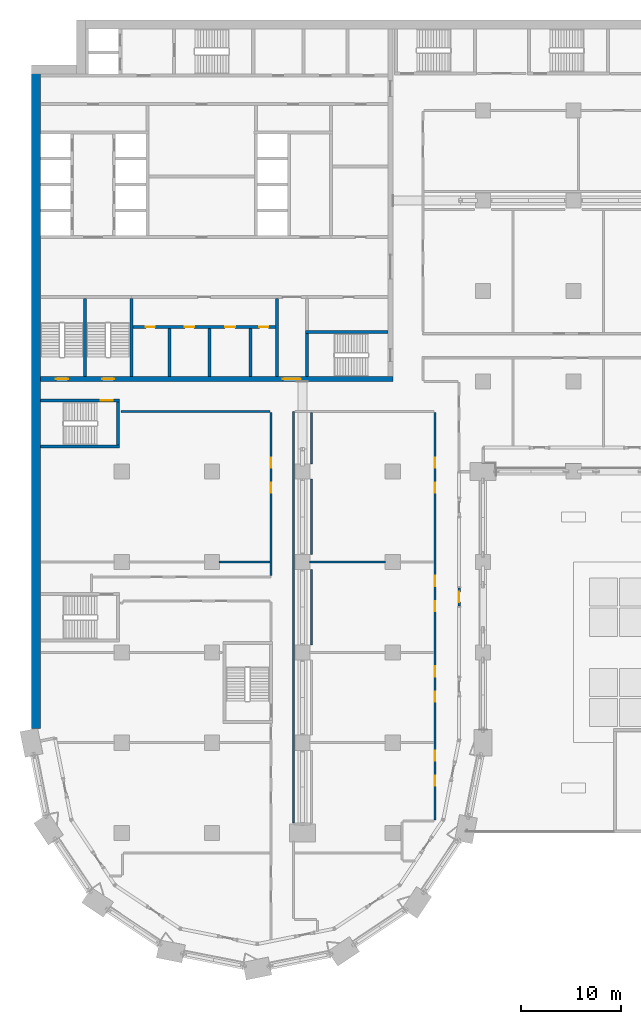
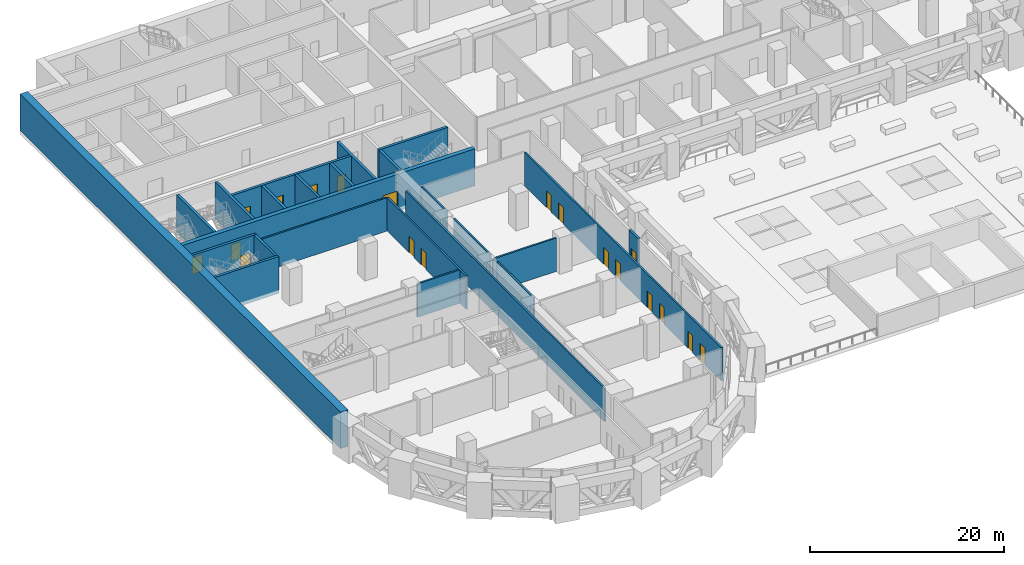
# One storey, part 12 of 31: 24 walls, 19 doors, 19 openings.
"""IFC4 building model written with IfcOpenShell, lengths in metres."""

from ifc_helpers import new_model, si_unit, direction, frame, frame_2d, origin, place, context, subcontext, project, spatial, rectangle, extrude, material, layer, layer_set, type_object, element, fill, save


model = new_model("IFC4")

# Units and contexts
model_context = context("Model", 3, precision=1e-05, world=origin(), true_north=direction((0.0, 1.0)))
body_context = subcontext(model_context, "Body", "Model", "MODEL_VIEW")
ifc_project = project(units=[si_unit("LENGTHUNIT", "METRE"), si_unit("AREAUNIT", "SQUARE_METRE"), si_unit("VOLUMEUNIT", "CUBIC_METRE"), si_unit("PLANEANGLEUNIT", "RADIAN"), si_unit("MASSUNIT", "GRAM", prefix="KILO")], contexts=[model_context])

# Site, building, storey
site_placement = place(None, origin())
site = spatial("IfcSite", under=ifc_project, at=site_placement, CompositionType="ELEMENT")
building_placement = place(site_placement, origin())
building = spatial("IfcBuilding", under=site, at=building_placement, Name="Hunhe Ridgeline Campus", CompositionType="ELEMENT")
storey_placement = place(building_placement, frame((0.0, 0.0, 31.199951171875)))
storey = spatial("IfcBuildingStorey", under=building, at=storey_placement, Name="L06", CompositionType="ELEMENT", Elevation=31.199951171875)

# Wall, openings, doors
ifc_material_1 = material(Name="Masonry concrete blockwork", Category="masonry")
ifc_layer_1 = layer(ifc_material_1, 0.300048828125)
ifc_layer_set_1 = layer_set([ifc_layer_1], Name="Core room partition 300 concrete block")
wall_type_1 = type_object("IfcWallType", Name="Core room partition 300 concrete block", PredefinedType="PARTITIONING", material=ifc_layer_set_1)
wall_1_placement = place(storey_placement, frame((10.10009765625, 68.39990234375, 0.0), z_axis=(0.0, 0.0, 1.0), x_axis=(1.0, 0.0, 0.0)))
wall_1 = element("IfcWall", 1, at=wall_1_placement, inside=storey, type_object=wall_type_1, Name="L06 core partition 10", PredefinedType="PARTITIONING", context=body_context, shape_type="SweptSolid", body=[
    extrude(rectangle(XDim=14.199951171875, YDim=0.300048828125, at=frame_2d((7.10009765625, 0.0))), origin(), (0.0, 0.0, 1.0), 4.199951171875),
])
opening_1_placement = place(wall_1_placement, frame((1.300048828125, 0.0, 0.0)))
opening_1 = element("IfcOpeningElement", 2, at=opening_1_placement, cuts=wall_1, Name="Opening CD8", PredefinedType="OPENING", context=body_context, shape_type="SweptSolid", body=[
    extrude(rectangle(XDim=0.89990234375, YDim=2.10009765625, at=frame_2d((0.449951171875, 1.050048828125))), frame((0.0, 0.14990234375, 0.0), z_axis=(0.0, -1.0, 0.0), x_axis=(1.0, 0.0, 0.0)), (0.0, 0.0, 1.0), 0.300048828125),
])
opening_2_placement = place(wall_1_placement, frame((5.199951171875, 0.0, 0.0)))
opening_2 = element("IfcOpeningElement", 3, at=opening_2_placement, cuts=wall_1, Name="Opening CD9", PredefinedType="OPENING", context=body_context, shape_type="SweptSolid", body=[
    extrude(rectangle(XDim=0.89990234375, YDim=2.10009765625, at=frame_2d((0.449951171875, 1.050048828125))), frame((0.0, 0.14990234375, 0.0), z_axis=(0.0, -1.0, 0.0), x_axis=(1.0, 0.0, 0.0)), (0.0, 0.0, 1.0), 0.300048828125),
])
opening_3_placement = place(wall_1_placement, frame((9.199951171875, 0.0, 0.0)))
opening_3 = element("IfcOpeningElement", 4, at=opening_3_placement, cuts=wall_1, Name="Opening CD10", PredefinedType="OPENING", context=body_context, shape_type="SweptSolid", body=[
    extrude(rectangle(XDim=1.0, YDim=2.10009765625, at=frame_2d((0.5, 1.050048828125))), frame((0.0, 0.14990234375, 0.0), z_axis=(0.0, -1.0, 0.0), x_axis=(1.0, 0.0, 0.0)), (0.0, 0.0, 1.0), 0.300048828125),
])
opening_4_placement = place(wall_1_placement, frame((12.60009765625, 0.0, 0.0)))
opening_4 = element("IfcOpeningElement", 5, at=opening_4_placement, cuts=wall_1, Name="Opening CD11", PredefinedType="OPENING", context=body_context, shape_type="SweptSolid", body=[
    extrude(rectangle(XDim=0.89990234375, YDim=2.10009765625, at=frame_2d((0.449951171875, 1.050048828125))), frame((0.0, 0.14990234375, 0.0), z_axis=(0.0, -1.0, 0.0), x_axis=(1.0, 0.0, 0.0)), (0.0, 0.0, 1.0), 0.300048828125),
])
ifc_material_2 = material(Name="Solid core timber door leaf", Category="wood")
door_type_1 = type_object("IfcDoorType", Name="Timber door 1000x2100", OperationType="SINGLE_SWING_LEFT", PredefinedType="DOOR", material=ifc_material_2)
door_1_placement = place(opening_3_placement, frame((1.0, 0.0, 0.0), z_axis=(0.0, 0.0, 1.0), x_axis=(-1.0, 0.0, 0.0)))
door_1 = element("IfcDoor", 6, at=door_1_placement, inside=storey, type_object=door_type_1, Name="L06 door WC3", OperationType="SINGLE_SWING_RIGHT", OverallHeight=2.10009765625, OverallWidth=1.0, PredefinedType="DOOR", context=body_context, shape_type="SweptSolid", body=[
    extrude(rectangle(XDim=1.0, YDim=2.10009765625, at=frame_2d((0.5, 1.050048828125))), frame((0.0, 0.02490234375, 0.0), z_axis=(0.0, -1.0, 0.0), x_axis=(1.0, 0.0, 0.0)), (0.0, 0.0, 1.0), 0.050048828125),
])
fill(opening_3, door_1)
door_type_2 = type_object("IfcDoorType", Name="Timber door 900x2100", OperationType="SINGLE_SWING_LEFT", PredefinedType="DOOR", material=ifc_material_2)
door_2_placement = place(opening_1_placement, frame((0.89990234375, 0.0, 0.0), z_axis=(0.0, 0.0, 1.0), x_axis=(-1.0, 0.0, 0.0)))
door_2 = element("IfcDoor", 7, at=door_2_placement, inside=storey, type_object=door_type_2, Name="L06 door WC1", OperationType="SINGLE_SWING_RIGHT", OverallHeight=2.10009765625, OverallWidth=0.89990234375, PredefinedType="DOOR", context=body_context, shape_type="SweptSolid", body=[
    extrude(rectangle(XDim=0.89990234375, YDim=2.10009765625, at=frame_2d((0.449951171875, 1.050048828125))), frame((0.0, 0.02490234375, 0.0), z_axis=(0.0, -1.0, 0.0), x_axis=(1.0, 0.0, 0.0)), (0.0, 0.0, 1.0), 0.050048828125),
])
fill(opening_1, door_2)
door_3_placement = place(opening_2_placement, frame((0.89990234375, 0.0, 0.0), z_axis=(0.0, 0.0, 1.0), x_axis=(-1.0, 0.0, 0.0)))
door_3 = element("IfcDoor", 8, at=door_3_placement, inside=storey, type_object=door_type_2, Name="L06 door WC2", OperationType="SINGLE_SWING_LEFT", OverallHeight=2.10009765625, OverallWidth=0.89990234375, PredefinedType="DOOR", context=body_context, shape_type="SweptSolid", body=[
    extrude(rectangle(XDim=0.89990234375, YDim=2.10009765625, at=frame_2d((0.449951171875, 1.050048828125))), frame((0.0, 0.02490234375, 0.0), z_axis=(0.0, -1.0, 0.0), x_axis=(1.0, 0.0, 0.0)), (0.0, 0.0, 1.0), 0.050048828125),
])
fill(opening_2, door_3)
door_4_placement = place(opening_4_placement, frame((0.89990234375, 0.0, 0.0), z_axis=(0.0, 0.0, 1.0), x_axis=(-1.0, 0.0, 0.0)))
door_4 = element("IfcDoor", 9, at=door_4_placement, inside=storey, type_object=door_type_2, Name="L06 door WC4", OperationType="SINGLE_SWING_LEFT", OverallHeight=2.10009765625, OverallWidth=0.89990234375, PredefinedType="DOOR", context=body_context, shape_type="SweptSolid", body=[
    extrude(rectangle(XDim=0.89990234375, YDim=2.10009765625, at=frame_2d((0.449951171875, 1.050048828125))), frame((0.0, 0.02490234375, 0.0), z_axis=(0.0, -1.0, 0.0), x_axis=(1.0, 0.0, 0.0)), (0.0, 0.0, 1.0), 0.050048828125),
])
fill(opening_4, door_4)

# Walls
for number, where, z_axis, x_axis, name in (
    (10, (13.75, 63.5, 0.0), (0.0, 0.0, 1.0), (0.0, 1.0, 0.0), "L06 core partition 47"),
    (11, (17.75, 63.5, 0.0), (0.0, 0.0, 1.0), (0.0, 1.0, 0.0), "L06 core partition 49"),
    (12, (21.85009765625, 63.5, 0.0), (0.0, 0.0, 1.0), (0.0, 1.0, 0.0), "L06 core partition 51"),
):
    element("IfcWall", number, at=place(storey_placement, frame(where, z_axis=z_axis, x_axis=x_axis)), inside=storey, type_object=wall_type_1, Name=name, PredefinedType="PARTITIONING", context=body_context, shape_type="SweptSolid", body=[
        extrude(rectangle(XDim=4.75, YDim=0.300048828125, at=frame_2d((2.375, 0.0))), origin(), (0.0, 0.0, 1.0), 4.199951171875),
    ])
wall_2_placement = place(storey_placement, frame((24.449951171875, 63.5, 0.0), z_axis=(0.0, 0.0, 1.0), x_axis=(0.0, 1.0, 0.0)))
element("IfcWall", 13, at=wall_2_placement, inside=storey, type_object=wall_type_1, Name="L06 core partition 56", PredefinedType="PARTITIONING", context=body_context, shape_type="SweptSolid", body=[
    extrude(rectangle(XDim=7.75, YDim=0.300048828125, at=frame_2d((3.875, 0.0))), origin(), (0.0, 0.0, 1.0), 4.199951171875),
])

# Wall, openings, doors
ifc_material_3 = material(Name="Concrete C80", Category="concrete")
ifc_layer_2 = layer(ifc_material_3, 0.5)
ifc_layer_set_2 = layer_set([ifc_layer_2], Name="Core wall 500 reinforced concrete C80")
wall_type_2 = type_object("IfcWallType", Name="Core wall 500 reinforced concrete C80", PredefinedType="SOLIDWALL", material=ifc_layer_set_2)
wall_3_placement = place(storey_placement, frame((0.89990234375, 63.25, -0.449951171875), z_axis=(0.0, 0.0, 1.0), x_axis=(1.0, 0.0, 0.0)))
wall_3 = element("IfcWall", 14, at=wall_3_placement, inside=storey, type_object=wall_type_2, Name="L06 core wall 7", PredefinedType="SOLIDWALL", context=body_context, shape_type="SweptSolid", body=[
    extrude(rectangle(XDim=35.10009765625, YDim=0.5, at=frame_2d((17.550048828125, 0.0))), origin(), (0.0, 0.0, 1.0), 4.64990234375),
])
opening_5_placement = place(wall_3_placement, frame((24.14990234375, 0.0, 0.449951171875)))
opening_5 = element("IfcOpeningElement", 15, at=opening_5_placement, cuts=wall_3, Name="Opening CD6", PredefinedType="OPENING", context=body_context, shape_type="SweptSolid", body=[
    extrude(rectangle(XDim=1.800048828125, YDim=2.10009765625, at=frame_2d((0.89990234375, 1.050048828125))), frame((0.0, 0.25, 0.0), z_axis=(0.0, -1.0, 0.0), x_axis=(1.0, 0.0, 0.0)), (0.0, 0.0, 1.0), 0.5),
])
opening_6_placement = place(wall_3_placement, frame((1.550048828125, 0.0, 0.449951171875)))
opening_6 = element("IfcOpeningElement", 16, at=opening_6_placement, cuts=wall_3, Name="Opening CD13", PredefinedType="OPENING", context=body_context, shape_type="SweptSolid", body=[
    extrude(rectangle(XDim=1.199951171875, YDim=2.10009765625, at=frame_2d((0.60009765625, 1.050048828125))), frame((0.0, 0.25, 0.0), z_axis=(0.0, -1.0, 0.0), x_axis=(1.0, 0.0, 0.0)), (0.0, 0.0, 1.0), 0.5),
])
opening_7_placement = place(wall_3_placement, frame((6.14990234375, 0.0, 0.449951171875)))
opening_7 = element("IfcOpeningElement", 17, at=opening_7_placement, cuts=wall_3, Name="Opening CD14", PredefinedType="OPENING", context=body_context, shape_type="SweptSolid", body=[
    extrude(rectangle(XDim=1.199951171875, YDim=2.10009765625, at=frame_2d((0.60009765625, 1.050048828125))), frame((0.0, 0.25, 0.0), z_axis=(0.0, -1.0, 0.0), x_axis=(1.0, 0.0, 0.0)), (0.0, 0.0, 1.0), 0.5),
])
ifc_material_4 = material(Name="Anodised aluminium and glass", Category="aluminium")
door_type_3 = type_object("IfcDoorType", Name="Glazed double door 1800x2100", OperationType="DOUBLE_DOOR_SINGLE_SWING", PredefinedType="DOOR", material=ifc_material_4)
door_5_placement = place(opening_5_placement, frame((1.800048828125, 0.0, 0.0), z_axis=(0.0, 0.0, 1.0), x_axis=(-1.0, 0.0, 0.0)))
door_5 = element("IfcDoor", 18, at=door_5_placement, inside=storey, type_object=door_type_3, Name="L06 door VEST-FLOOR", OperationType="DOUBLE_DOOR_SINGLE_SWING", OverallHeight=2.10009765625, OverallWidth=1.800048828125, PredefinedType="DOOR", context=body_context, shape_type="SweptSolid", body=[
    extrude(rectangle(XDim=1.800048828125, YDim=2.10009765625, at=frame_2d((0.89990234375, 1.050048828125))), frame((0.0, 0.02490234375, 0.0), z_axis=(0.0, -1.0, 0.0), x_axis=(1.0, 0.0, 0.0)), (0.0, 0.0, 1.0), 0.050048828125),
])
fill(opening_5, door_5)
ifc_material_5 = material(Name="Hollow metal fire door leaf")
door_type_4 = type_object("IfcDoorType", Name="Stair door 1200x2100 FD60", OperationType="SINGLE_SWING_LEFT", PredefinedType="DOOR", material=ifc_material_5)
door_6_placement = place(opening_6_placement, frame((1.199951171875, 0.0, 0.0), z_axis=(0.0, 0.0, 1.0), x_axis=(-1.0, 0.0, 0.0)))
door_6 = element("IfcDoor", 19, at=door_6_placement, inside=storey, type_object=door_type_4, Name="L06 door S3", OperationType="SINGLE_SWING_RIGHT", OverallHeight=2.10009765625, OverallWidth=1.199951171875, PredefinedType="DOOR", context=body_context, shape_type="SweptSolid", body=[
    extrude(rectangle(XDim=1.199951171875, YDim=2.10009765625, at=frame_2d((0.60009765625, 1.050048828125))), frame((0.0, 0.02490234375, 0.0), z_axis=(0.0, -1.0, 0.0), x_axis=(1.0, 0.0, 0.0)), (0.0, 0.0, 1.0), 0.050048828125),
])
fill(opening_6, door_6)
door_7_placement = place(opening_7_placement, frame((1.199951171875, 0.0, 0.0), z_axis=(0.0, 0.0, 1.0), x_axis=(-1.0, 0.0, 0.0)))
door_7 = element("IfcDoor", 20, at=door_7_placement, inside=storey, type_object=door_type_4, Name="L06 door S4", OperationType="SINGLE_SWING_LEFT", OverallHeight=2.10009765625, OverallWidth=1.199951171875, PredefinedType="DOOR", context=body_context, shape_type="SweptSolid", body=[
    extrude(rectangle(XDim=1.199951171875, YDim=2.10009765625, at=frame_2d((0.60009765625, 1.050048828125))), frame((0.0, 0.02490234375, 0.0), z_axis=(0.0, -1.0, 0.0), x_axis=(1.0, 0.0, 0.0)), (0.0, 0.0, 1.0), 0.050048828125),
])
fill(opening_7, door_7)

# Walls
ifc_material_6 = material(Name="Gypsum board partition")
ifc_layer_3 = layer(ifc_material_6, 0.199951171875)
ifc_layer_set_3 = layer_set([ifc_layer_3], Name="Corridor partition 200 gypsum board on steel studs")
wall_type_3 = type_object("IfcWallType", Name="Corridor partition 200 gypsum board on steel studs", PredefinedType="PARTITIONING", material=ifc_layer_set_3)
wall_4_placement = place(storey_placement, frame((18.699951171875, 45.0, 0.0), z_axis=(0.0, 0.0, 1.0), x_axis=(1.0, 0.0, 0.0)))
element("IfcWall", 21, at=wall_4_placement, inside=storey, type_object=wall_type_3, Name="F-L06-wall-022", PredefinedType="PARTITIONING", context=body_context, shape_type="SweptSolid", body=[
    extrude(rectangle(XDim=5.050048828125, YDim=0.199951171875, at=frame_2d((2.52490234375, 0.0))), origin(), (0.0, 0.0, 1.0), 4.199951171875),
])
wall_5_placement = place(storey_placement, frame((27.699951171875, 45.0, 0.0), z_axis=(0.0, 0.0, 1.0), x_axis=(1.0, 0.0, 0.0)))
element("IfcWall", 22, at=wall_5_placement, inside=storey, type_object=wall_type_3, Name="F-L06-wall-023", PredefinedType="PARTITIONING", context=body_context, shape_type="SweptSolid", body=[
    extrude(rectangle(XDim=7.60009765625, YDim=0.199951171875, at=frame_2d((3.800048828125, 0.0))), origin(), (0.0, 0.0, 1.0), 4.199951171875),
])
wall_6_placement = place(storey_placement, frame((23.75, 60.0, 0.0), z_axis=(0.0, 0.0, 1.0), x_axis=(-1.0, 0.0, 0.0)))
element("IfcWall", 23, at=wall_6_placement, inside=storey, type_object=wall_type_3, Name="F-L06-wall-025", PredefinedType="PARTITIONING", context=body_context, shape_type="SweptSolid", body=[
    extrude(rectangle(XDim=14.845947265625, YDim=0.199951171875, at=frame_2d((7.4228515625, 0.0))), origin(), (0.0, 0.0, 1.0), 4.199951171875),
])

# Wall, openings, doors
wall_7_placement = place(storey_placement, frame((23.85009765625, 43.646240234375, 0.0), z_axis=(0.0, 0.0, 1.0), x_axis=(0.0, 1.0, 0.0)))
wall_7 = element("IfcWall", 24, at=wall_7_placement, inside=storey, type_object=wall_type_3, Name="F-L06-wall-059", PredefinedType="PARTITIONING", context=body_context, shape_type="SweptSolid", body=[
    extrude(rectangle(XDim=16.253662109375, YDim=0.199951171875, at=frame_2d((8.126953125, 0.0))), origin(), (0.0, 0.0, 1.0), 4.199951171875),
])
opening_8_placement = place(wall_7_placement, frame((8.251953125, 0.0, 0.0)))
opening_8 = element("IfcOpeningElement", 25, at=opening_8_placement, cuts=wall_7, Name="Opening RD1-016", PredefinedType="OPENING", context=body_context, shape_type="SweptSolid", body=[
    extrude(rectangle(XDim=1.0, YDim=2.10009765625, at=frame_2d((0.5, 1.050048828125))), frame((0.0, 0.10009765625, 0.0), z_axis=(0.0, -1.0, 0.0), x_axis=(1.0, 0.0, 0.0)), (0.0, 0.0, 1.0), 0.199951171875),
])
opening_9_placement = place(wall_7_placement, frame((10.751953125, 0.0, 0.0)))
opening_9 = element("IfcOpeningElement", 26, at=opening_9_placement, cuts=wall_7, Name="Opening RD1-018", PredefinedType="OPENING", context=body_context, shape_type="SweptSolid", body=[
    extrude(rectangle(XDim=1.0, YDim=2.10009765625, at=frame_2d((0.5, 1.050048828125))), frame((0.0, 0.10009765625, 0.0), z_axis=(0.0, -1.0, 0.0), x_axis=(1.0, 0.0, 0.0)), (0.0, 0.0, 1.0), 0.199951171875),
])
ifc_material_7 = material(Name="Timber door leaf", Category="wood")
door_type_5 = type_object("IfcDoorType", Name="Single fire door 1000x2100 timber FD60", OperationType="NOTDEFINED", PredefinedType="DOOR", material=ifc_material_7)
door_8_placement = place(opening_8_placement, frame((1.0, 0.0, 0.0), z_axis=(0.0, 0.0, 1.0), x_axis=(-1.0, 0.0, 0.0)))
door_8 = element("IfcDoor", 27, at=door_8_placement, inside=storey, type_object=door_type_5, Name="F-L06-door-016", OperationType="SINGLE_SWING_LEFT", OverallHeight=2.10009765625, OverallWidth=1.0, PredefinedType="DOOR", context=body_context, shape_type="SweptSolid", body=[
    extrude(rectangle(XDim=1.0, YDim=2.10009765625, at=frame_2d((0.5, 1.050048828125))), frame((0.0, 0.02490234375, 0.0), z_axis=(0.0, -1.0, 0.0), x_axis=(1.0, 0.0, 0.0)), (0.0, 0.0, 1.0), 0.050048828125),
])
fill(opening_8, door_8)
door_9_placement = place(opening_9_placement, frame((1.0, 0.0, 0.0), z_axis=(0.0, 0.0, 1.0), x_axis=(-1.0, 0.0, 0.0)))
door_9 = element("IfcDoor", 28, at=door_9_placement, inside=storey, type_object=door_type_5, Name="F-L06-door-018", OperationType="SINGLE_SWING_LEFT", OverallHeight=2.10009765625, OverallWidth=1.0, PredefinedType="DOOR", context=body_context, shape_type="SweptSolid", body=[
    extrude(rectangle(XDim=1.0, YDim=2.10009765625, at=frame_2d((0.5, 1.050048828125))), frame((0.0, 0.02490234375, 0.0), z_axis=(0.0, -1.0, 0.0), x_axis=(1.0, 0.0, 0.0)), (0.0, 0.0, 1.0), 0.050048828125),
])
fill(opening_9, door_9)

# Walls
wall_8_placement = place(storey_placement, frame((26.10009765625, 59.999755859375, 0.0), z_axis=(0.0, 0.0, 1.0), x_axis=(0.0, -1.0, 0.0)))
element("IfcWall", 29, at=wall_8_placement, inside=storey, type_object=wall_type_3, Name="F-L06-wall-061", PredefinedType="PARTITIONING", context=body_context, shape_type="SweptSolid", body=[
    extrude(rectangle(XDim=40.999755859375, YDim=0.199951171875, at=frame_2d((20.5, 0.0))), origin(), (0.0, 0.0, 1.0), 4.199951171875),
])
for number, where, z_axis, x_axis, name in (
    (30, (27.89990234375, 44.25, 0.0), (0.0, 0.0, 1.0), (0.0, -1.0, 0.0), "F-L06-wall-064"),
    (31, (27.89990234375, 53.25, 0.0), (0.0, 0.0, 1.0), (0.0, -1.0, 0.0), "F-L06-wall-065"),
):
    element("IfcWall", number, at=place(storey_placement, frame(where, z_axis=z_axis, x_axis=x_axis)), inside=storey, type_object=wall_type_3, Name=name, PredefinedType="PARTITIONING", context=body_context, shape_type="SweptSolid", body=[
        extrude(rectangle(XDim=7.5, YDim=0.199951171875, at=frame_2d((3.75, 0.0))), origin(), (0.0, 0.0, 1.0), 4.199951171875),
    ])
wall_9_placement = place(storey_placement, frame((27.89990234375, 59.89990234375, 0.0), z_axis=(0.0, 0.0, 1.0), x_axis=(0.0, -1.0, 0.0)))
element("IfcWall", 32, at=wall_9_placement, inside=storey, type_object=wall_type_3, Name="F-L06-wall-066", PredefinedType="PARTITIONING", context=body_context, shape_type="SweptSolid", body=[
    extrude(rectangle(XDim=5.14990234375, YDim=0.199951171875, at=frame_2d((2.574951171875, 0.0))), origin(), (0.0, 0.0, 1.0), 4.199951171875),
])

# Wall, openings, doors
wall_10_placement = place(storey_placement, frame((40.199951171875, 19.322021484375, 0.0), z_axis=(0.0, 0.0, 1.0), x_axis=(0.0, 1.0, 0.0)))
wall_10 = element("IfcWall", 33, at=wall_10_placement, inside=storey, type_object=wall_type_3, Name="F-L06-wall-071", PredefinedType="PARTITIONING", context=body_context, shape_type="SweptSolid", body=[
    extrude(rectangle(XDim=40.577880859375, YDim=0.199951171875, at=frame_2d((20.2890625, 0.0))), origin(), (0.0, 0.0, 1.0), 4.199951171875),
])
opening_10_placement = place(wall_10_placement, frame((3.382568359375, 0.0, 0.0)))
opening_10 = element("IfcOpeningElement", 34, at=opening_10_placement, cuts=wall_10, Name="Opening RD1-004", PredefinedType="OPENING", context=body_context, shape_type="SweptSolid", body=[
    extrude(rectangle(XDim=1.0, YDim=2.10009765625, at=frame_2d((0.5, 1.050048828125))), frame((0.0, 0.10009765625, 0.0), z_axis=(0.0, -1.0, 0.0), x_axis=(1.0, 0.0, 0.0)), (0.0, 0.0, 1.0), 0.199951171875),
])
opening_11_placement = place(wall_10_placement, frame((5.882568359375, 0.0, 0.0)))
opening_11 = element("IfcOpeningElement", 35, at=opening_11_placement, cuts=wall_10, Name="Opening RD1-006", PredefinedType="OPENING", context=body_context, shape_type="SweptSolid", body=[
    extrude(rectangle(XDim=1.0, YDim=2.10009765625, at=frame_2d((0.5, 1.050048828125))), frame((0.0, 0.10009765625, 0.0), z_axis=(0.0, -1.0, 0.0), x_axis=(1.0, 0.0, 0.0)), (0.0, 0.0, 1.0), 0.199951171875),
])
opening_12_placement = place(wall_10_placement, frame((11.773681640625, 0.0, 0.0)))
opening_12 = element("IfcOpeningElement", 36, at=opening_12_placement, cuts=wall_10, Name="Opening RD1-008", PredefinedType="OPENING", context=body_context, shape_type="SweptSolid", body=[
    extrude(rectangle(XDim=1.0, YDim=2.10009765625, at=frame_2d((0.5, 1.050048828125))), frame((0.0, 0.10009765625, 0.0), z_axis=(0.0, -1.0, 0.0), x_axis=(1.0, 0.0, 0.0)), (0.0, 0.0, 1.0), 0.199951171875),
])
opening_13_placement = place(wall_10_placement, frame((14.273681640625, 0.0, 0.0)))
opening_13 = element("IfcOpeningElement", 37, at=opening_13_placement, cuts=wall_10, Name="Opening RD1-009", PredefinedType="OPENING", context=body_context, shape_type="SweptSolid", body=[
    extrude(rectangle(XDim=1.0, YDim=2.10009765625, at=frame_2d((0.5, 1.050048828125))), frame((0.0, 0.10009765625, 0.0), z_axis=(0.0, -1.0, 0.0), x_axis=(1.0, 0.0, 0.0)), (0.0, 0.0, 1.0), 0.199951171875),
])
opening_14_placement = place(wall_10_placement, frame((20.791015625, 0.0, 0.0)))
opening_14 = element("IfcOpeningElement", 38, at=opening_14_placement, cuts=wall_10, Name="Opening RD1-010", PredefinedType="OPENING", context=body_context, shape_type="SweptSolid", body=[
    extrude(rectangle(XDim=1.0, YDim=2.10009765625, at=frame_2d((0.5, 1.050048828125))), frame((0.0, 0.10009765625, 0.0), z_axis=(0.0, -1.0, 0.0), x_axis=(1.0, 0.0, 0.0)), (0.0, 0.0, 1.0), 0.199951171875),
])
opening_15_placement = place(wall_10_placement, frame((23.291015625, 0.0, 0.0)))
opening_15 = element("IfcOpeningElement", 39, at=opening_15_placement, cuts=wall_10, Name="Opening RD1-013", PredefinedType="OPENING", context=body_context, shape_type="SweptSolid", body=[
    extrude(rectangle(XDim=1.0, YDim=2.10009765625, at=frame_2d((0.5, 1.050048828125))), frame((0.0, 0.10009765625, 0.0), z_axis=(0.0, -1.0, 0.0), x_axis=(1.0, 0.0, 0.0)), (0.0, 0.0, 1.0), 0.199951171875),
])
opening_16_placement = place(wall_10_placement, frame((32.563720703125, 0.0, 0.0)))
opening_16 = element("IfcOpeningElement", 40, at=opening_16_placement, cuts=wall_10, Name="Opening RD1-017", PredefinedType="OPENING", context=body_context, shape_type="SweptSolid", body=[
    extrude(rectangle(XDim=1.0, YDim=2.10009765625, at=frame_2d((0.5, 1.050048828125))), frame((0.0, 0.10009765625, 0.0), z_axis=(0.0, -1.0, 0.0), x_axis=(1.0, 0.0, 0.0)), (0.0, 0.0, 1.0), 0.199951171875),
])
opening_17_placement = place(wall_10_placement, frame((35.063720703125, 0.0, 0.0)))
opening_17 = element("IfcOpeningElement", 41, at=opening_17_placement, cuts=wall_10, Name="Opening RD1-019", PredefinedType="OPENING", context=body_context, shape_type="SweptSolid", body=[
    extrude(rectangle(XDim=1.0, YDim=2.10009765625, at=frame_2d((0.5, 1.050048828125))), frame((0.0, 0.10009765625, 0.0), z_axis=(0.0, -1.0, 0.0), x_axis=(1.0, 0.0, 0.0)), (0.0, 0.0, 1.0), 0.199951171875),
])
door_10_placement = place(opening_10_placement, frame((1.0, 0.0, 0.0), z_axis=(0.0, 0.0, 1.0), x_axis=(-1.0, 0.0, 0.0)))
door_10 = element("IfcDoor", 42, at=door_10_placement, inside=storey, type_object=door_type_5, Name="F-L06-door-004", OperationType="SINGLE_SWING_RIGHT", OverallHeight=2.10009765625, OverallWidth=1.0, PredefinedType="DOOR", context=body_context, shape_type="SweptSolid", body=[
    extrude(rectangle(XDim=1.0, YDim=2.10009765625, at=frame_2d((0.5, 1.050048828125))), frame((0.0, 0.02490234375, 0.0), z_axis=(0.0, -1.0, 0.0), x_axis=(1.0, 0.0, 0.0)), (0.0, 0.0, 1.0), 0.050048828125),
])
fill(opening_10, door_10)
door_11_placement = place(opening_11_placement, frame((1.0, 0.0, 0.0), z_axis=(0.0, 0.0, 1.0), x_axis=(-1.0, 0.0, 0.0)))
door_11 = element("IfcDoor", 43, at=door_11_placement, inside=storey, type_object=door_type_5, Name="F-L06-door-006", OperationType="SINGLE_SWING_LEFT", OverallHeight=2.10009765625, OverallWidth=1.0, PredefinedType="DOOR", context=body_context, shape_type="SweptSolid", body=[
    extrude(rectangle(XDim=1.0, YDim=2.10009765625, at=frame_2d((0.5, 1.050048828125))), frame((0.0, 0.02490234375, 0.0), z_axis=(0.0, -1.0, 0.0), x_axis=(1.0, 0.0, 0.0)), (0.0, 0.0, 1.0), 0.050048828125),
])
fill(opening_11, door_11)
door_12_placement = place(opening_12_placement, frame((1.0, 0.0, 0.0), z_axis=(0.0, 0.0, 1.0), x_axis=(-1.0, 0.0, 0.0)))
door_12 = element("IfcDoor", 44, at=door_12_placement, inside=storey, type_object=door_type_5, Name="F-L06-door-008", OperationType="SINGLE_SWING_LEFT", OverallHeight=2.10009765625, OverallWidth=1.0, PredefinedType="DOOR", context=body_context, shape_type="SweptSolid", body=[
    extrude(rectangle(XDim=1.0, YDim=2.10009765625, at=frame_2d((0.5, 1.050048828125))), frame((0.0, 0.02490234375, 0.0), z_axis=(0.0, -1.0, 0.0), x_axis=(1.0, 0.0, 0.0)), (0.0, 0.0, 1.0), 0.050048828125),
])
fill(opening_12, door_12)
door_13_placement = place(opening_13_placement, frame((1.0, 0.0, 0.0), z_axis=(0.0, 0.0, 1.0), x_axis=(-1.0, 0.0, 0.0)))
door_13 = element("IfcDoor", 45, at=door_13_placement, inside=storey, type_object=door_type_5, Name="F-L06-door-009", OperationType="SINGLE_SWING_LEFT", OverallHeight=2.10009765625, OverallWidth=1.0, PredefinedType="DOOR", context=body_context, shape_type="SweptSolid", body=[
    extrude(rectangle(XDim=1.0, YDim=2.10009765625, at=frame_2d((0.5, 1.050048828125))), frame((0.0, 0.02490234375, 0.0), z_axis=(0.0, -1.0, 0.0), x_axis=(1.0, 0.0, 0.0)), (0.0, 0.0, 1.0), 0.050048828125),
])
fill(opening_13, door_13)
door_14_placement = place(opening_14_placement, frame((1.0, 0.0, 0.0), z_axis=(0.0, 0.0, 1.0), x_axis=(-1.0, 0.0, 0.0)))
door_14 = element("IfcDoor", 46, at=door_14_placement, inside=storey, type_object=door_type_5, Name="F-L06-door-010", OperationType="SINGLE_SWING_LEFT", OverallHeight=2.10009765625, OverallWidth=1.0, PredefinedType="DOOR", context=body_context, shape_type="SweptSolid", body=[
    extrude(rectangle(XDim=1.0, YDim=2.10009765625, at=frame_2d((0.5, 1.050048828125))), frame((0.0, 0.02490234375, 0.0), z_axis=(0.0, -1.0, 0.0), x_axis=(1.0, 0.0, 0.0)), (0.0, 0.0, 1.0), 0.050048828125),
])
fill(opening_14, door_14)
door_15_placement = place(opening_15_placement, frame((1.0, 0.0, 0.0), z_axis=(0.0, 0.0, 1.0), x_axis=(-1.0, 0.0, 0.0)))
door_15 = element("IfcDoor", 47, at=door_15_placement, inside=storey, type_object=door_type_5, Name="F-L06-door-013", OperationType="SINGLE_SWING_LEFT", OverallHeight=2.10009765625, OverallWidth=1.0, PredefinedType="DOOR", context=body_context, shape_type="SweptSolid", body=[
    extrude(rectangle(XDim=1.0, YDim=2.10009765625, at=frame_2d((0.5, 1.050048828125))), frame((0.0, 0.02490234375, 0.0), z_axis=(0.0, -1.0, 0.0), x_axis=(1.0, 0.0, 0.0)), (0.0, 0.0, 1.0), 0.050048828125),
])
fill(opening_15, door_15)
door_16_placement = place(opening_16_placement, frame((1.0, 0.0, 0.0), z_axis=(0.0, 0.0, 1.0), x_axis=(-1.0, 0.0, 0.0)))
door_16 = element("IfcDoor", 48, at=door_16_placement, inside=storey, type_object=door_type_5, Name="F-L06-door-017", OperationType="SINGLE_SWING_RIGHT", OverallHeight=2.10009765625, OverallWidth=1.0, PredefinedType="DOOR", context=body_context, shape_type="SweptSolid", body=[
    extrude(rectangle(XDim=1.0, YDim=2.10009765625, at=frame_2d((0.5, 1.050048828125))), frame((0.0, 0.02490234375, 0.0), z_axis=(0.0, -1.0, 0.0), x_axis=(1.0, 0.0, 0.0)), (0.0, 0.0, 1.0), 0.050048828125),
])
fill(opening_16, door_16)
door_17_placement = place(opening_17_placement, frame((1.0, 0.0, 0.0), z_axis=(0.0, 0.0, 1.0), x_axis=(-1.0, 0.0, 0.0)))
door_17 = element("IfcDoor", 49, at=door_17_placement, inside=storey, type_object=door_type_5, Name="F-L06-door-019", OperationType="SINGLE_SWING_LEFT", OverallHeight=2.10009765625, OverallWidth=1.0, PredefinedType="DOOR", context=body_context, shape_type="SweptSolid", body=[
    extrude(rectangle(XDim=1.0, YDim=2.10009765625, at=frame_2d((0.5, 1.050048828125))), frame((0.0, 0.02490234375, 0.0), z_axis=(0.0, -1.0, 0.0), x_axis=(1.0, 0.0, 0.0)), (0.0, 0.0, 1.0), 0.050048828125),
])
fill(opening_17, door_17)

# Wall, opening, door
ifc_material_8 = material(Name="Concrete C30", Category="concrete")
ifc_layer_4 = layer(ifc_material_8, 0.25)
ifc_layer_set_4 = layer_set([ifc_layer_4], Name="Loggia door pier wall 250 Concrete C30")
wall_type_4 = type_object("IfcWallType", Name="Loggia door pier wall 250 Concrete C30", PredefinedType="SOLIDWALL", material=ifc_layer_set_4)
wall_11_placement = place(storey_placement, frame((42.59912109375, 40.618408203125, 0.0), z_axis=(0.0, 0.0, 1.0), x_axis=(0.0, 1.0, 0.0)))
wall_11 = element("IfcWall", 50, at=wall_11_placement, inside=storey, type_object=wall_type_4, Name="Loggia door pier 10", PredefinedType="SOLIDWALL", context=body_context, shape_type="SweptSolid", body=[
    extrude(rectangle(XDim=1.7998046875, YDim=0.25, at=frame_2d((0.89990234375, 0.0))), origin(), (0.0, 0.0, 1.0), 4.199951171875),
])
opening_18_placement = place(wall_11_placement, frame((0.39990234375, 0.0, 0.0)))
opening_18 = element("IfcOpeningElement", 51, at=opening_18_placement, cuts=wall_11, Name="Opening BR110", PredefinedType="OPENING", context=body_context, shape_type="SweptSolid", body=[
    extrude(rectangle(XDim=1.0, YDim=2.10009765625, at=frame_2d((0.5, 1.050048828125))), frame((0.0, 0.125, 0.0), z_axis=(0.0, -1.0, 0.0), x_axis=(1.0, 0.0, 0.0)), (0.0, 0.0, 1.0), 0.25),
])
ifc_material_9 = material(Name="Aluminium 6063", Category="aluminium")
door_type_6 = type_object("IfcDoorType", Name="Loggia glazed door 1000x2100", OperationType="NOTDEFINED", PredefinedType="DOOR", material=ifc_material_9)
door_18_placement = place(opening_18_placement, frame((1.0, 0.0, 0.0), z_axis=(0.0, 0.0, 1.0), x_axis=(-1.0, 0.0, 0.0)))
door_18 = element("IfcDoor", 52, at=door_18_placement, inside=storey, type_object=door_type_6, Name="Loggia door BR110", OperationType="SINGLE_SWING_LEFT", OverallHeight=2.10009765625, OverallWidth=1.0, PredefinedType="DOOR", context=body_context, shape_type="SweptSolid", body=[
    extrude(rectangle(XDim=1.0, YDim=2.10009765625, at=frame_2d((0.5, 1.050048828125))), frame((0.0, 0.02490234375, 0.0), z_axis=(0.0, -1.0, 0.0), x_axis=(1.0, 0.0, 0.0)), (0.0, 0.0, 1.0), 0.050048828125),
])
fill(opening_18, door_18)

# Walls
ifc_layer_5 = layer(ifc_material_3, 0.89990234375)
ifc_layer_set_5 = layer_set([ifc_layer_5], Name="Spine wall 900 Concrete C80")
wall_type_5 = type_object("IfcWallType", Name="Spine wall 900 Concrete C80", PredefinedType="SHEAR", material=ifc_layer_set_5)
wall_12_placement = place(storey_placement, frame((0.449951171875, 94.5, 0.0), z_axis=(0.0, 0.0, 1.0), x_axis=(0.0, -1.0, 0.0)))
element("IfcWall", 53, at=wall_12_placement, inside=storey, type_object=wall_type_5, Name="Spine wall SW1-1 L06", PredefinedType="SHEAR", context=body_context, shape_type="SweptSolid", body=[
    extrude(rectangle(XDim=66.0849609375, YDim=0.89990234375, at=frame_2d((33.04248046875, 0.0))), origin(), (0.0, 0.0, 1.0), 4.60009765625),
])
ifc_layer_6 = layer(ifc_material_3, 0.300048828125)
ifc_layer_set_6 = layer_set([ifc_layer_6], Name="Stair wall 300 reinforced concrete C80")
wall_type_6 = type_object("IfcWallType", Name="Stair wall 300 reinforced concrete C80", PredefinedType="SOLIDWALL", material=ifc_layer_set_6)
wall_13_placement = place(storey_placement, frame((0.89990234375, 56.5, -0.449951171875), z_axis=(0.0, 0.0, 1.0), x_axis=(1.0, 0.0, 0.0)))
element("IfcWall", 54, at=wall_13_placement, inside=storey, type_object=wall_type_6, Name="L06 core wall 5", PredefinedType="SOLIDWALL", context=body_context, shape_type="SweptSolid", body=[
    extrude(rectangle(XDim=7.900146484375, YDim=0.300048828125, at=frame_2d((3.9501953125, 0.0))), origin(), (0.0, 0.0, 1.0), 4.64990234375),
])

# Wall, opening, door
wall_14_placement = place(storey_placement, frame((0.89990234375, 61.10009765625, -0.449951171875), z_axis=(0.0, 0.0, 1.0), x_axis=(1.0, 0.0, 0.0)))
wall_14 = element("IfcWall", 55, at=wall_14_placement, inside=storey, type_object=wall_type_6, Name="L06 core wall 6", PredefinedType="SOLIDWALL", context=body_context, shape_type="SweptSolid", body=[
    extrude(rectangle(XDim=7.900146484375, YDim=0.300048828125, at=frame_2d((3.9501953125, 0.0))), origin(), (0.0, 0.0, 1.0), 4.64990234375),
])
opening_19_placement = place(wall_14_placement, frame((6.0, 0.0, 0.449951171875)))
opening_19 = element("IfcOpeningElement", 56, at=opening_19_placement, cuts=wall_14, Name="Opening CD22", PredefinedType="OPENING", context=body_context, shape_type="SweptSolid", body=[
    extrude(rectangle(XDim=1.199951171875, YDim=2.10009765625, at=frame_2d((0.60009765625, 1.050048828125))), frame((0.0, 0.14990234375, 0.0), z_axis=(0.0, -1.0, 0.0), x_axis=(1.0, 0.0, 0.0)), (0.0, 0.0, 1.0), 0.300048828125),
])
door_19_placement = place(opening_19_placement, origin())
door_19 = element("IfcDoor", 57, at=door_19_placement, inside=storey, type_object=door_type_4, Name="L06 door W2", OperationType="SINGLE_SWING_RIGHT", OverallHeight=2.10009765625, OverallWidth=1.199951171875, PredefinedType="DOOR", context=body_context, shape_type="SweptSolid", body=[
    extrude(rectangle(XDim=1.199951171875, YDim=2.10009765625, at=frame_2d((0.60009765625, 1.050048828125))), frame((0.0, 0.02490234375, 0.0), z_axis=(0.0, -1.0, 0.0), x_axis=(1.0, 0.0, 0.0)), (0.0, 0.0, 1.0), 0.050048828125),
])
fill(opening_19, door_19)

# Walls
wall_15_placement = place(storey_placement, frame((27.300048828125, 67.89990234375, -0.449951171875), z_axis=(0.0, 0.0, 1.0), x_axis=(1.0, 0.0, 0.0)))
element("IfcWall", 58, at=wall_15_placement, inside=storey, type_object=wall_type_6, Name="L06 core wall 9", PredefinedType="SOLIDWALL", context=body_context, shape_type="SweptSolid", body=[
    extrude(rectangle(XDim=8.199951171875, YDim=0.300048828125, at=frame_2d((4.10009765625, 0.0))), origin(), (0.0, 0.0, 1.0), 4.64990234375),
])
wall_16_placement = place(storey_placement, frame((5.35009765625, 63.5, -0.449951171875), z_axis=(0.0, 0.0, 1.0), x_axis=(0.0, 1.0, 0.0)))
element("IfcWall", 59, at=wall_16_placement, inside=storey, type_object=wall_type_6, Name="L06 core wall 38", PredefinedType="SOLIDWALL", context=body_context, shape_type="SweptSolid", body=[
    extrude(rectangle(XDim=7.75, YDim=0.300048828125, at=frame_2d((3.875, 0.0))), origin(), (0.0, 0.0, 1.0), 4.64990234375),
])
wall_17_placement = place(storey_placement, frame((8.64990234375, 56.64990234375, -0.449951171875), z_axis=(0.0, 0.0, 1.0), x_axis=(0.0, 1.0, 0.0)))
element("IfcWall", 60, at=wall_17_placement, inside=storey, type_object=wall_type_6, Name="L06 core wall 42", PredefinedType="SOLIDWALL", context=body_context, shape_type="SweptSolid", body=[
    extrude(rectangle(XDim=4.300048828125, YDim=0.300048828125, at=frame_2d((2.14990234375, 0.0))), origin(), (0.0, 0.0, 1.0), 4.64990234375),
])
wall_18_placement = place(storey_placement, frame((9.949951171875, 63.5, -0.449951171875), z_axis=(0.0, 0.0, 1.0), x_axis=(0.0, 1.0, 0.0)))
element("IfcWall", 61, at=wall_18_placement, inside=storey, type_object=wall_type_6, Name="L06 core wall 44", PredefinedType="SOLIDWALL", context=body_context, shape_type="SweptSolid", body=[
    extrude(rectangle(XDim=7.75, YDim=0.300048828125, at=frame_2d((3.875, 0.0))), origin(), (0.0, 0.0, 1.0), 4.64990234375),
])
wall_19_placement = place(storey_placement, frame((27.449951171875, 63.5, -0.449951171875), z_axis=(0.0, 0.0, 1.0), x_axis=(0.0, 1.0, 0.0)))
element("IfcWall", 62, at=wall_19_placement, inside=storey, type_object=wall_type_6, Name="L06 core wall 59", PredefinedType="SOLIDWALL", context=body_context, shape_type="SweptSolid", body=[
    extrude(rectangle(XDim=4.25, YDim=0.300048828125, at=frame_2d((2.125, 0.0))), origin(), (0.0, 0.0, 1.0), 4.64990234375),
])

save(model, "model.ifc")
